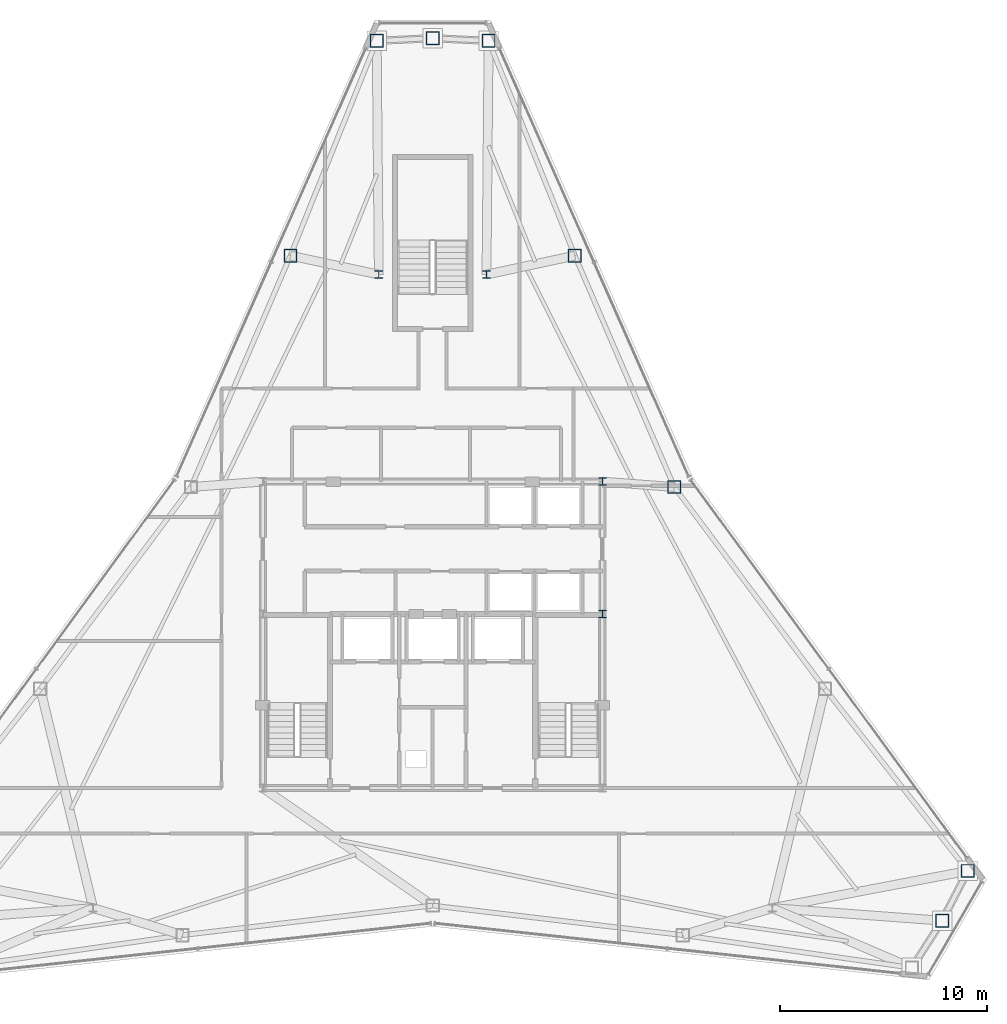
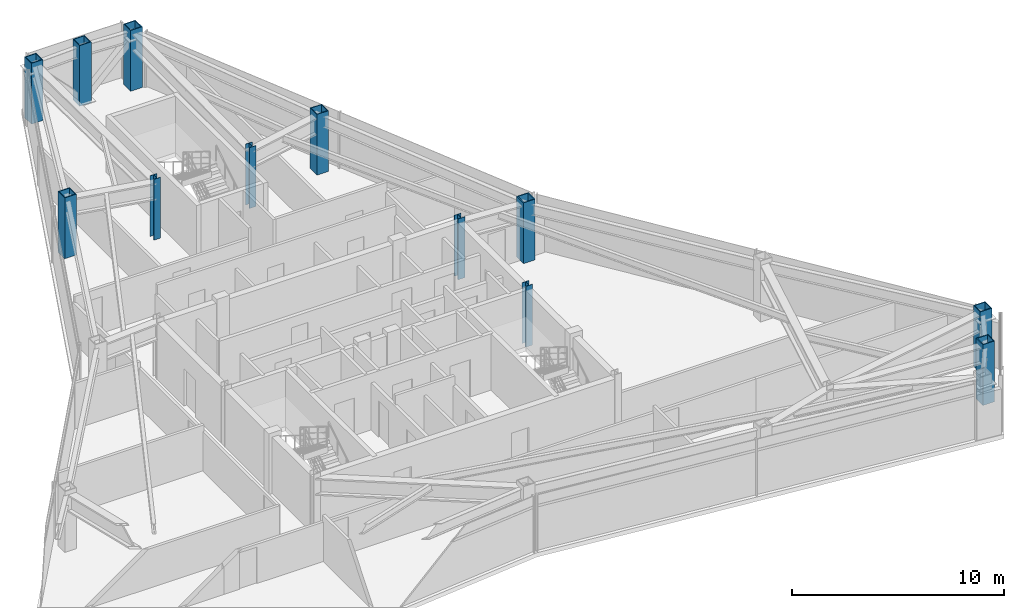
# One storey, part 2 of 12: 12 columns.
"""IFC4 building model written with IfcOpenShell, lengths in metres."""

from ifc_helpers import new_model, si_unit, direction, frame, origin, origin_2d, place, context, subcontext, project, spatial, hollow_rectangle, i_section, extrude, material, material_profile, profile_set, type_object, element, save


model = new_model("IFC4")

# Units and contexts
model_context = context("Model", 3, precision=1e-05, world=origin(), true_north=direction((0.0, 1.0)))
body_context = subcontext(model_context, "Body", "Model", "MODEL_VIEW")
ifc_project = project(units=[si_unit("LENGTHUNIT", "METRE"), si_unit("AREAUNIT", "SQUARE_METRE"), si_unit("VOLUMEUNIT", "CUBIC_METRE"), si_unit("PLANEANGLEUNIT", "RADIAN"), si_unit("MASSUNIT", "GRAM", prefix="KILO")], contexts=[model_context])

# Site, building, storey
site_placement = place(None, origin())
site = spatial("IfcSite", under=ifc_project, at=site_placement, CompositionType="ELEMENT")
building_placement = place(site_placement, origin())
building = spatial("IfcBuilding", under=site, at=building_placement, Name="Varakhsha Concourse Tower", CompositionType="ELEMENT")
storey_placement = place(building_placement, frame((0.0, 0.0, 272.5)))
storey = spatial("IfcBuildingStorey", under=building, at=storey_placement, Name="L77", CompositionType="ELEMENT", Elevation=272.5)

# Columns
ifc_material_1 = material(Name="Structural Steel ASTM A992 Grade 50", Category="steel")
ifc_material_profile_1 = material_profile(ifc_material_1, i_section(OverallWidth=0.3740234375, OverallDepth=0.3720703125, WebThickness=0.01611328125, FlangeThickness=0.02587890625, at=origin_2d()), Name="W14X132")
ifc_profile_set_1 = profile_set([ifc_material_profile_1], Name="Structural Steel ASTM A992 Grade 50")
column_type_1 = type_object("IfcColumnType", Name="CL-CORE-W14X132", PredefinedType="COLUMN", material=ifc_profile_set_1)
for number, where, z_axis, x_axis, name in (
    (1, (48.199951171875, 24.800048828125, 0.0), (0.0, 0.0, 1.0), (1.0, 0.0, 0.0), "L77 Core Column CC-ME"),
    (2, (48.199951171875, 31.199951171875, 0.0), (0.0, 0.0, 1.0), (1.0, 0.0, 0.0), "L77 Core Column CC-NE"),
    (3, (37.39990234375, 41.199951171875, 0.0), (0.0, 0.0, 1.0), (1.0, 0.0, 0.0), "L77 Core Column NS-W"),
    (4, (42.60009765625, 41.199951171875, 0.0), (0.0, 0.0, 1.0), (1.0, 0.0, 0.0), "L77 Core Column NS-E"),
):
    element("IfcColumn", number, at=place(storey_placement, frame(where, z_axis=z_axis, x_axis=x_axis)), inside=storey, type_object=column_type_1, Name=name, PredefinedType="COLUMN", context=body_context, shape_type="SweptSolid", body=[
        extrude(i_section(OverallWidth=0.3740234375, OverallDepth=0.3720703125, WebThickness=0.01611328125, FlangeThickness=0.02587890625, at=origin_2d()), origin(), (0.0, 0.0, 1.0), 3.5),
    ])
ifc_material_2 = material(Name="Structural Steel ASTM A572 Grade 50", Category="steel")
ifc_material_profile_2 = material_profile(ifc_material_2, hollow_rectangle(XDim=0.639892578125, YDim=0.639892578125, WallThickness=0.044921875, at=origin_2d()), Name="BOX 640x640x45")
ifc_profile_set_2 = profile_set([ifc_material_profile_2], Name="Structural Steel ASTM A572 Grade 50")
column_type_2 = type_object("IfcColumnType", Name="CL-TUBE-640", PredefinedType="COLUMN", material=ifc_profile_set_2)
for number, where, z_axis, x_axis, name in (
    (5, (42.70361328125, 52.489501953125, 0.0), (0.0, 0.0, 1.0), (1.0, 0.0, 0.0), "L77 Framed-Tube Column TC01"),
    (6, (40.0, 52.616943359375, 0.0), (0.0, 0.0, 1.0), (1.0, 0.0, 0.0), "L77 Framed-Tube Column TC02"),
    (7, (37.29638671875, 52.489501953125, 0.0), (0.0, 0.0, 1.0), (1.0, 0.0, 0.0), "L77 Framed-Tube Column TC03"),
    (8, (33.131103515625, 42.11474609375, 0.0), (0.0, 0.0, 1.0), (1.0, 0.0, 0.0), "L77 Framed-Tube Column TC04"),
    (9, (64.60986328125, 9.991455078125, 0.0), (0.0, 0.0, 1.0), (1.0, 0.0, 0.0), "L77 Framed-Tube Column TC14"),
    (10, (65.851318359375, 12.396728515625, 0.0), (0.0, 0.0, 1.0), (1.0, 0.0, 0.0), "L77 Framed-Tube Column TC15"),
    (11, (51.6708984375, 30.938232421875, 0.0), (0.0, 0.0, 1.0), (1.0, 0.0, 0.0), "L77 Framed-Tube Column TC17"),
    (12, (46.868896484375, 42.11474609375, 0.0), (0.0, 0.0, 1.0), (1.0, 0.0, 0.0), "L77 Framed-Tube Column TC18"),
):
    element("IfcColumn", number, at=place(storey_placement, frame(where, z_axis=z_axis, x_axis=x_axis)), inside=storey, type_object=column_type_2, Name=name, PredefinedType="COLUMN", context=body_context, shape_type="SweptSolid", body=[
        extrude(hollow_rectangle(XDim=0.639892578125, YDim=0.639892578125, WallThickness=0.044921875, at=origin_2d()), origin(), (0.0, 0.0, 1.0), 3.5),
    ])

save(model, "model.ifc")
